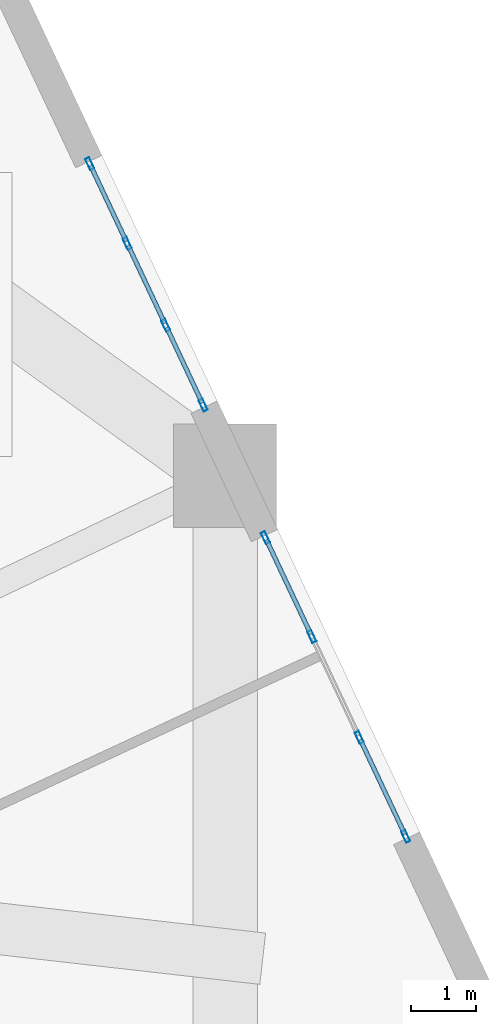
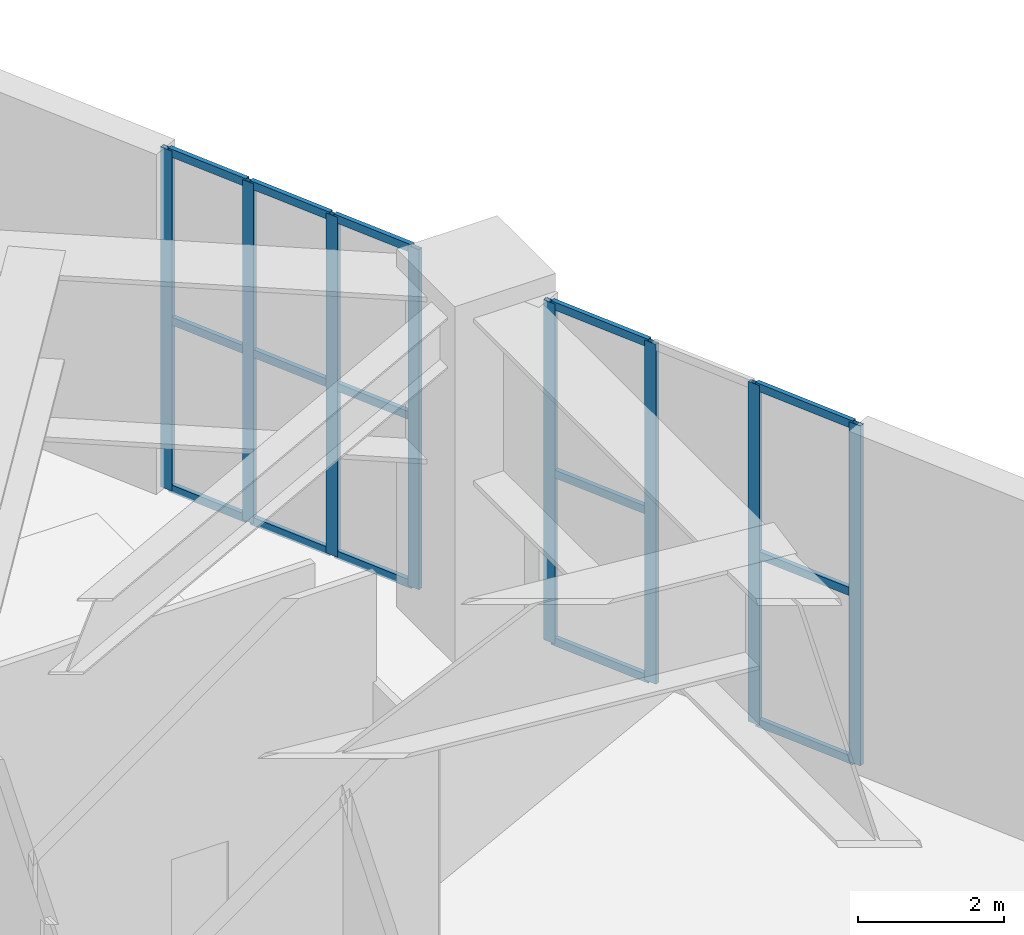
# One storey, part 6 of 14: 23 members, 2 elements without a shape of their own.
"""IFC4 building model written with IfcOpenShell, lengths in metres."""

from ifc_helpers import new_model, si_unit, direction, frame, origin, origin_2d, place, context, subcontext, project, spatial, hollow_rectangle, extrude, material, layer, layer_set, material_profile, profile_set, type_object, element, aggregate, save


model = new_model("IFC4")

# Units and contexts
model_context = context("Model", 3, precision=1e-05, world=origin(), true_north=direction((0.0, 1.0)))
body_context = subcontext(model_context, "Body", "Model", "MODEL_VIEW")
ifc_project = project(units=[si_unit("LENGTHUNIT", "METRE"), si_unit("AREAUNIT", "SQUARE_METRE"), si_unit("VOLUMEUNIT", "CUBIC_METRE"), si_unit("PLANEANGLEUNIT", "RADIAN"), si_unit("MASSUNIT", "GRAM", prefix="KILO")], contexts=[model_context])

# Site, building, storey
site_placement = place(None, origin())
site = spatial("IfcSite", under=ifc_project, at=site_placement, CompositionType="ELEMENT")
building_placement = place(site_placement, origin())
building = spatial("IfcBuilding", under=site, at=building_placement, Name="Kilnhurst Terrace Hotel", CompositionType="ELEMENT")
storey_placement = place(building_placement, frame((0.0, 0.0, 28.199951171875)))
storey = spatial("IfcBuildingStorey", under=building, at=storey_placement, Name="L05", CompositionType="ELEMENT", Elevation=28.199951171875)

# Curtain wall, members
ifc_material_1 = material(Name="Anodized Aluminium Alloy 6063-T6 and Low-E Glass", Category="aluminium")
ifc_layer = layer(ifc_material_1, 0.219970703125, Name="Anodized Aluminium Alloy 6063-T6 and Low-E Glass")
ifc_layer_set = layer_set([ifc_layer], Name="Anodized Aluminium Alloy 6063-T6 and Low-E Glass")
curtain_wall_type = type_object("IfcCurtainWallType", Name="CW-POD-TERR", PredefinedType="NOTDEFINED", material=ifc_layer_set)
curtain_wall_1_placement = place(storey_placement, origin())
curtain_wall_1 = element("IfcCurtainWall", 1, at=curtain_wall_1_placement, inside=storey, type_object=curtain_wall_type, Name="L05 Curtain Wall CW-L05-F3-1", PredefinedType="NOTDEFINED")
ifc_material_2 = material(Name="Extruded Aluminium Alloy 6063-T6", Category="aluminium")
ifc_material_profile_1 = material_profile(ifc_material_2, hollow_rectangle(XDim=0.070068359375, YDim=0.18994140625, WallThickness=0.00390625, at=origin_2d()), Name="CWM70X190")
ifc_profile_set_1 = profile_set([ifc_material_profile_1], Name="Extruded Aluminium Alloy 6063-T6")
member_type_1 = type_object("IfcMemberType", Name="MEM-CWM70X190", PredefinedType="MULLION", material=ifc_profile_set_1)
member_1_placement = place(storey_placement, frame((24.3017578125, 7.91064453125, 0.0), z_axis=(0.0, 0.0, 1.0), x_axis=(-0.905098674435, -0.42520158694, 0.0)))
member_1 = element("IfcMember", 2, at=member_1_placement, type_object=member_type_1, Name="CWT-2 mullion 1", PredefinedType="MULLION", context=body_context, shape_type="SweptSolid", body=[
    extrude(hollow_rectangle(XDim=0.070068359375, YDim=0.18994140625, WallThickness=0.00390625, at=origin_2d()), origin(), (0.0, 0.0, 1.0), 5.699951171875),
])
member_2_placement = place(storey_placement, frame((23.581787109375, 9.443115234375, 0.0), z_axis=(0.0, 0.0, 1.0), x_axis=(-0.905098674435, -0.42520158694, 0.0)))
member_2 = element("IfcMember", 3, at=member_2_placement, type_object=member_type_1, Name="CWT-2 mullion 2", PredefinedType="MULLION", context=body_context, shape_type="SweptSolid", body=[
    extrude(hollow_rectangle(XDim=0.070068359375, YDim=0.18994140625, WallThickness=0.00390625, at=origin_2d()), origin(), (0.0, 0.0, 1.0), 5.699951171875),
])
member_3_placement = place(storey_placement, frame((22.8466796875, 11.007568359375, 0.0), z_axis=(0.0, 0.0, 1.0), x_axis=(-0.905098674435, -0.42520158694, 0.0)))
member_3 = element("IfcMember", 4, at=member_3_placement, type_object=member_type_1, Name="CWT-2 mullion 3", PredefinedType="MULLION", context=body_context, shape_type="SweptSolid", body=[
    extrude(hollow_rectangle(XDim=0.070068359375, YDim=0.18994140625, WallThickness=0.00390625, at=origin_2d()), origin(), (0.0, 0.0, 1.0), 5.699951171875),
])
member_4_placement = place(storey_placement, frame((22.126708984375, 12.540283203125, 0.0), z_axis=(0.0, 0.0, 1.0), x_axis=(-0.905098674435, -0.42520158694, 0.0)))
member_4 = element("IfcMember", 5, at=member_4_placement, type_object=member_type_1, Name="CWT-2 mullion 4", PredefinedType="MULLION", context=body_context, shape_type="SweptSolid", body=[
    extrude(hollow_rectangle(XDim=0.070068359375, YDim=0.18994140625, WallThickness=0.00390625, at=origin_2d()), origin(), (0.0, 0.0, 1.0), 5.699951171875),
])

curtain_wall_2_placement = place(storey_placement, origin())
curtain_wall_2 = element("IfcCurtainWall", 6, at=curtain_wall_2_placement, inside=storey, type_object=curtain_wall_type, Name="L05 Curtain Wall CW-L05-F3-2", PredefinedType="NOTDEFINED")
member_5_placement = place(storey_placement, frame((21.16162109375, 14.5947265625, 0.0), z_axis=(0.0, 0.0, 1.0), x_axis=(-0.905096544534, -0.425206120691, 0.0)))
member_5 = element("IfcMember", 7, at=member_5_placement, type_object=member_type_1, Name="CWT-2 mullion 1", PredefinedType="MULLION", context=body_context, shape_type="SweptSolid", body=[
    extrude(hollow_rectangle(XDim=0.070068359375, YDim=0.18994140625, WallThickness=0.00390625, at=origin_2d()), origin(), (0.0, 0.0, 1.0), 5.699951171875),
])
member_6_placement = place(storey_placement, frame((20.580322265625, 15.83203125, 0.0), z_axis=(0.0, 0.0, 1.0), x_axis=(-0.905096544534, -0.425206120691, 0.0)))
member_6 = element("IfcMember", 8, at=member_6_placement, type_object=member_type_1, Name="CWT-2 mullion 2", PredefinedType="MULLION", context=body_context, shape_type="SweptSolid", body=[
    extrude(hollow_rectangle(XDim=0.070068359375, YDim=0.18994140625, WallThickness=0.00390625, at=origin_2d()), origin(), (0.0, 0.0, 1.0), 5.699951171875),
])
member_7_placement = place(storey_placement, frame((19.984130859375, 17.10107421875, 0.0), z_axis=(0.0, 0.0, 1.0), x_axis=(-0.905096544534, -0.425206120691, 0.0)))
member_7 = element("IfcMember", 9, at=member_7_placement, type_object=member_type_1, Name="CWT-2 mullion 3", PredefinedType="MULLION", context=body_context, shape_type="SweptSolid", body=[
    extrude(hollow_rectangle(XDim=0.070068359375, YDim=0.18994140625, WallThickness=0.00390625, at=origin_2d()), origin(), (0.0, 0.0, 1.0), 5.699951171875),
])
member_8_placement = place(storey_placement, frame((19.40283203125, 18.338134765625, 0.0), z_axis=(0.0, 0.0, 1.0), x_axis=(-0.905096544534, -0.425206120691, 0.0)))
member_8 = element("IfcMember", 10, at=member_8_placement, type_object=member_type_1, Name="CWT-2 mullion 4", PredefinedType="MULLION", context=body_context, shape_type="SweptSolid", body=[
    extrude(hollow_rectangle(XDim=0.070068359375, YDim=0.18994140625, WallThickness=0.00390625, at=origin_2d()), origin(), (0.0, 0.0, 1.0), 5.699951171875),
])

# Member
ifc_material_profile_2 = material_profile(ifc_material_2, hollow_rectangle(XDim=0.070068359375, YDim=0.135009765625, WallThickness=0.00390625, at=origin_2d()), Name="CWT70X135")
ifc_profile_set_2 = profile_set([ifc_material_profile_2], Name="Extruded Aluminium Alloy 6063-T6")
member_type_2 = type_object("IfcMemberType", Name="MEM-CWT70X135", PredefinedType="USERDEFINED", material=ifc_profile_set_2)
member_9_placement = place(storey_placement, frame((24.286865234375, 7.942138671875, 0.03515625), z_axis=(-0.425123404765, 0.905135399109, 0.0), x_axis=(-0.905135399109, -0.425123404765, 0.0)))
member_9 = element("IfcMember", 11, at=member_9_placement, type_object=member_type_2, Name="CWT-2 transom 1.1", ObjectType="TRANSOM", PredefinedType="USERDEFINED", context=body_context, shape_type="SweptSolid", body=[
    extrude(hollow_rectangle(XDim=0.070068359375, YDim=0.135009765625, WallThickness=0.00390625, at=origin_2d()), origin(), (0.0, 0.0, 1.0), 1.62353515625),
])

member_10_placement = place(storey_placement, frame((24.286865234375, 7.942138671875, 2.85009765625), z_axis=(-0.425123404765, 0.905135399109, 0.0), x_axis=(-0.905135399109, -0.425123404765, 0.0)))
member_10 = element("IfcMember", 12, at=member_10_placement, type_object=member_type_2, Name="CWT-2 transom 1.2", ObjectType="TRANSOM", PredefinedType="USERDEFINED", context=body_context, shape_type="SweptSolid", body=[
    extrude(hollow_rectangle(XDim=0.070068359375, YDim=0.135009765625, WallThickness=0.00390625, at=origin_2d()), origin(), (0.0, 0.0, 1.0), 1.62353515625),
])

member_11_placement = place(storey_placement, frame((24.286865234375, 7.942138671875, 5.6650390625), z_axis=(-0.425123404765, 0.905135399109, 0.0), x_axis=(-0.905135399109, -0.425123404765, 0.0)))
member_11 = element("IfcMember", 13, at=member_11_placement, type_object=member_type_2, Name="CWT-2 transom 1.3", ObjectType="TRANSOM", PredefinedType="USERDEFINED", context=body_context, shape_type="SweptSolid", body=[
    extrude(hollow_rectangle(XDim=0.070068359375, YDim=0.135009765625, WallThickness=0.00390625, at=origin_2d()), origin(), (0.0, 0.0, 1.0), 1.62353515625),
])

member_12_placement = place(storey_placement, frame((22.83203125, 11.039306640625, 0.03515625), z_axis=(-0.425304476155, 0.905050331508, 0.0), x_axis=(-0.905050331508, -0.425304476155, 0.0)))
member_12 = element("IfcMember", 14, at=member_12_placement, type_object=member_type_2, Name="CWT-2 transom 3.1", ObjectType="TRANSOM", PredefinedType="USERDEFINED", context=body_context, shape_type="SweptSolid", body=[
    extrude(hollow_rectangle(XDim=0.070068359375, YDim=0.135009765625, WallThickness=0.00390625, at=origin_2d()), origin(), (0.0, 0.0, 1.0), 1.623291015625),
])

member_13_placement = place(storey_placement, frame((22.83203125, 11.039306640625, 2.85009765625), z_axis=(-0.425304476155, 0.905050331508, 0.0), x_axis=(-0.905050331508, -0.425304476155, 0.0)))
member_13 = element("IfcMember", 15, at=member_13_placement, type_object=member_type_2, Name="CWT-2 transom 3.2", ObjectType="TRANSOM", PredefinedType="USERDEFINED", context=body_context, shape_type="SweptSolid", body=[
    extrude(hollow_rectangle(XDim=0.070068359375, YDim=0.135009765625, WallThickness=0.00390625, at=origin_2d()), origin(), (0.0, 0.0, 1.0), 1.623291015625),
])

member_14_placement = place(storey_placement, frame((22.83203125, 11.039306640625, 5.6650390625), z_axis=(-0.425304476155, 0.905050331508, 0.0), x_axis=(-0.905050331508, -0.425304476155, 0.0)))
member_14 = element("IfcMember", 16, at=member_14_placement, type_object=member_type_2, Name="CWT-2 transom 3.3", ObjectType="TRANSOM", PredefinedType="USERDEFINED", context=body_context, shape_type="SweptSolid", body=[
    extrude(hollow_rectangle(XDim=0.070068359375, YDim=0.135009765625, WallThickness=0.00390625, at=origin_2d()), origin(), (0.0, 0.0, 1.0), 1.623291015625),
])

aggregate(curtain_wall_1, [member_1, member_2, member_3, member_4, member_9, member_10, member_11, member_12, member_13, member_14])

member_15_placement = place(storey_placement, frame((21.146728515625, 14.62646484375, 0.03515625), z_axis=(-0.425243955738, 0.905078769008, 0.0), x_axis=(-0.905078769008, -0.425243955738, 0.0)))
member_15 = element("IfcMember", 17, at=member_15_placement, type_object=member_type_2, Name="CWT-2 transom 1.1", ObjectType="TRANSOM", PredefinedType="USERDEFINED", context=body_context, shape_type="SweptSolid", body=[
    extrude(hollow_rectangle(XDim=0.070068359375, YDim=0.135009765625, WallThickness=0.00390625, at=origin_2d()), origin(), (0.0, 0.0, 1.0), 1.296875),
])

member_16_placement = place(storey_placement, frame((21.146728515625, 14.62646484375, 2.85009765625), z_axis=(-0.425243955738, 0.905078769008, 0.0), x_axis=(-0.905078769008, -0.425243955738, 0.0)))
member_16 = element("IfcMember", 18, at=member_16_placement, type_object=member_type_2, Name="CWT-2 transom 1.2", ObjectType="TRANSOM", PredefinedType="USERDEFINED", context=body_context, shape_type="SweptSolid", body=[
    extrude(hollow_rectangle(XDim=0.070068359375, YDim=0.135009765625, WallThickness=0.00390625, at=origin_2d()), origin(), (0.0, 0.0, 1.0), 1.296875),
])

member_17_placement = place(storey_placement, frame((21.146728515625, 14.62646484375, 5.6650390625), z_axis=(-0.425243955738, 0.905078769008, 0.0), x_axis=(-0.905078769008, -0.425243955738, 0.0)))
member_17 = element("IfcMember", 19, at=member_17_placement, type_object=member_type_2, Name="CWT-2 transom 1.3", ObjectType="TRANSOM", PredefinedType="USERDEFINED", context=body_context, shape_type="SweptSolid", body=[
    extrude(hollow_rectangle(XDim=0.070068359375, YDim=0.135009765625, WallThickness=0.00390625, at=origin_2d()), origin(), (0.0, 0.0, 1.0), 1.296875),
])

member_18_placement = place(storey_placement, frame((20.5654296875, 15.86376953125, 0.03515625), z_axis=(-0.425232026547, 0.905084373746, 0.0), x_axis=(-0.905084373746, -0.425232026547, 0.0)))
member_18 = element("IfcMember", 20, at=member_18_placement, type_object=member_type_2, Name="CWT-2 transom 2.1", ObjectType="TRANSOM", PredefinedType="USERDEFINED", context=body_context, shape_type="SweptSolid", body=[
    extrude(hollow_rectangle(XDim=0.070068359375, YDim=0.135009765625, WallThickness=0.00390625, at=origin_2d()), origin(), (0.0, 0.0, 1.0), 1.33203125),
])

member_19_placement = place(storey_placement, frame((20.5654296875, 15.86376953125, 2.85009765625), z_axis=(-0.425232026547, 0.905084373746, 0.0), x_axis=(-0.905084373746, -0.425232026547, 0.0)))
member_19 = element("IfcMember", 21, at=member_19_placement, type_object=member_type_2, Name="CWT-2 transom 2.2", ObjectType="TRANSOM", PredefinedType="USERDEFINED", context=body_context, shape_type="SweptSolid", body=[
    extrude(hollow_rectangle(XDim=0.070068359375, YDim=0.135009765625, WallThickness=0.00390625, at=origin_2d()), origin(), (0.0, 0.0, 1.0), 1.33203125),
])

member_20_placement = place(storey_placement, frame((20.5654296875, 15.86376953125, 5.6650390625), z_axis=(-0.425232026547, 0.905084373746, 0.0), x_axis=(-0.905084373746, -0.425232026547, 0.0)))
member_20 = element("IfcMember", 22, at=member_20_placement, type_object=member_type_2, Name="CWT-2 transom 2.3", ObjectType="TRANSOM", PredefinedType="USERDEFINED", context=body_context, shape_type="SweptSolid", body=[
    extrude(hollow_rectangle(XDim=0.070068359375, YDim=0.135009765625, WallThickness=0.00390625, at=origin_2d()), origin(), (0.0, 0.0, 1.0), 1.33203125),
])

member_21_placement = place(storey_placement, frame((19.96923828125, 17.132568359375, 0.03515625), z_axis=(-0.425171515374, 0.905112800989, 0.0), x_axis=(-0.905112800989, -0.425171515374, 0.0)))
member_21 = element("IfcMember", 23, at=member_21_placement, type_object=member_type_2, Name="CWT-2 transom 3.1", ObjectType="TRANSOM", PredefinedType="USERDEFINED", context=body_context, shape_type="SweptSolid", body=[
    extrude(hollow_rectangle(XDim=0.070068359375, YDim=0.135009765625, WallThickness=0.00390625, at=origin_2d()), origin(), (0.0, 0.0, 1.0), 1.297119140625),
])

member_22_placement = place(storey_placement, frame((19.96923828125, 17.132568359375, 2.85009765625), z_axis=(-0.425171515374, 0.905112800989, 0.0), x_axis=(-0.905112800989, -0.425171515374, 0.0)))
member_22 = element("IfcMember", 24, at=member_22_placement, type_object=member_type_2, Name="CWT-2 transom 3.2", ObjectType="TRANSOM", PredefinedType="USERDEFINED", context=body_context, shape_type="SweptSolid", body=[
    extrude(hollow_rectangle(XDim=0.070068359375, YDim=0.135009765625, WallThickness=0.00390625, at=origin_2d()), origin(), (0.0, 0.0, 1.0), 1.297119140625),
])

member_23_placement = place(storey_placement, frame((19.96923828125, 17.132568359375, 5.6650390625), z_axis=(-0.425171515374, 0.905112800989, 0.0), x_axis=(-0.905112800989, -0.425171515374, 0.0)))
member_23 = element("IfcMember", 25, at=member_23_placement, type_object=member_type_2, Name="CWT-2 transom 3.3", ObjectType="TRANSOM", PredefinedType="USERDEFINED", context=body_context, shape_type="SweptSolid", body=[
    extrude(hollow_rectangle(XDim=0.070068359375, YDim=0.135009765625, WallThickness=0.00390625, at=origin_2d()), origin(), (0.0, 0.0, 1.0), 1.297119140625),
])

aggregate(curtain_wall_2, [member_5, member_6, member_7, member_8, member_15, member_16, member_17, member_18, member_19, member_20, member_21, member_22, member_23])

save(model, "model.ifc")
